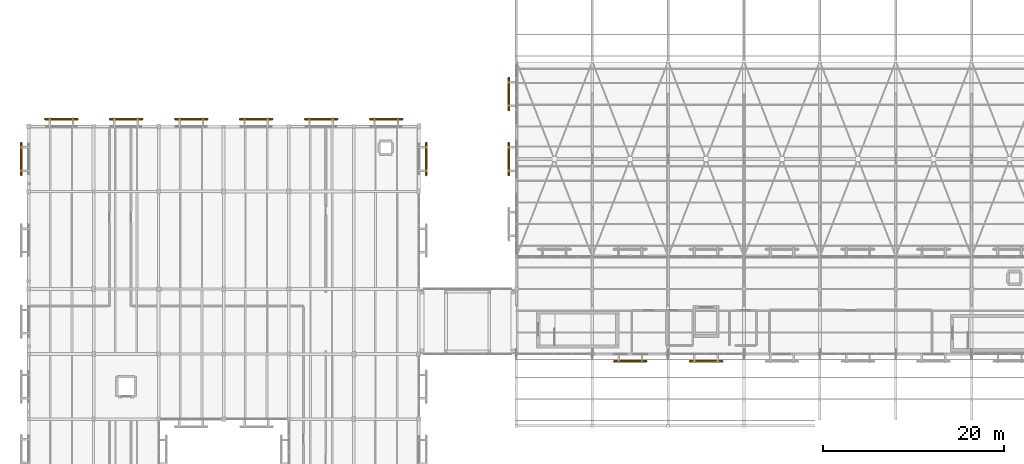
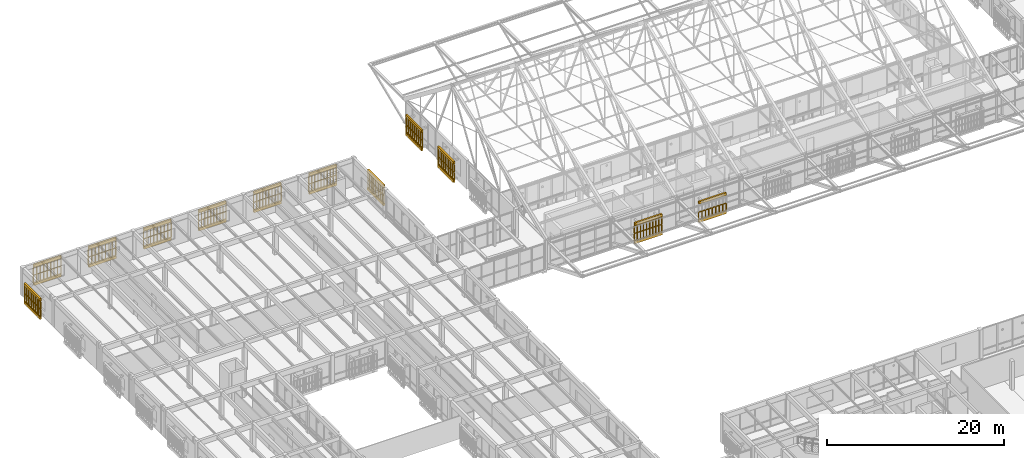
# One storey, part 206 of 217: 24 coverings, 23 railings.
"""IFC4 building model written with IfcOpenShell, lengths in metres."""

from ifc_helpers import new_model, si_unit, direction, frame, origin, origin_2d, place, context, subcontext, project, spatial, polyline, circle, outline, extrude, material, layer, layer_set, type_object, element, save


model = new_model("IFC4")

# Units and contexts
model_context = context("Model", 3, precision=1e-05, world=origin(), true_north=direction((0.0, 1.0)))
body_context = subcontext(model_context, "Body", "Model", "MODEL_VIEW")
ifc_project = project(units=[si_unit("LENGTHUNIT", "METRE"), si_unit("AREAUNIT", "SQUARE_METRE"), si_unit("VOLUMEUNIT", "CUBIC_METRE"), si_unit("PLANEANGLEUNIT", "RADIAN"), si_unit("MASSUNIT", "GRAM", prefix="KILO")], contexts=[model_context])

# Site, building, storey
site_placement = place(None, origin())
site = spatial("IfcSite", under=ifc_project, at=site_placement, CompositionType="ELEMENT")
building_placement = place(site_placement, origin())
building = spatial("IfcBuilding", under=site, at=building_placement, Name="Mazaris Harbour Polytechnic", CompositionType="ELEMENT")
storey_placement = place(building_placement, frame((0.0, 0.0, 9.60009765625)))
storey = spatial("IfcBuildingStorey", under=building, at=storey_placement, Name="L02", CompositionType="ELEMENT", Elevation=9.60009765625)

# Railings
ifc_material_1 = material(Name="Perforated Earth-Coloured Terracotta Block", Category="masonry")
railing_type = type_object("IfcRailingType", Name="Perforated Earth-Block Claustra Lattice 1040", PredefinedType="BALUSTRADE", material=ifc_material_1)
for number, where, name in (
    (1, (68.4150390625, 74.780029296875, 0.52001953125), "V1 L02 Lower Perforated Terracotta Block Screen 24"),
    (2, (68.4150390625, 74.780029296875, 1.60986328125), "V1 L02 Upper Perforated Terracotta Block Screen 24"),
):
    element("IfcRailing", number, at=place(storey_placement, frame(where)), inside=storey, type_object=railing_type, Name=name, PredefinedType="BALUSTRADE", context=body_context, shape_type="SweptSolid", body=[
        extrude(circle(Radius=0.06982421875, at=origin_2d()), frame((0.0, 0.0, 1.02001953125), z_axis=(-1.0, 0.0, 0.0), x_axis=(0.0, -1.0, 0.0)), (0.0, 0.0, 1.0), 3.60009765625),
        extrude(circle(Radius=0.074951171875, at=origin_2d()), origin(), (0.0, 0.0, 1.0), 0.9501953125),
        extrude(circle(Radius=0.074951171875, at=origin_2d()), frame((-0.39990234375, 0.0, 0.0)), (0.0, 0.0, 1.0), 0.9501953125),
        extrude(circle(Radius=0.074951171875, at=origin_2d()), frame((-0.800048828125, 0.0, 0.0)), (0.0, 0.0, 1.0), 0.9501953125),
        extrude(circle(Radius=0.074951171875, at=origin_2d()), frame((-1.199951171875, 0.0, 0.0)), (0.0, 0.0, 1.0), 0.9501953125),
        extrude(circle(Radius=0.074951171875, at=origin_2d()), frame((-1.60009765625, 0.0, 0.0)), (0.0, 0.0, 1.0), 0.9501953125),
        extrude(circle(Radius=0.074951171875, at=origin_2d()), frame((-2.0, 0.0, 0.0)), (0.0, 0.0, 1.0), 0.9501953125),
        extrude(circle(Radius=0.074951171875, at=origin_2d()), frame((-2.400146484375, 0.0, 0.0)), (0.0, 0.0, 1.0), 0.9501953125),
        extrude(circle(Radius=0.074951171875, at=origin_2d()), frame((-2.800048828125, 0.0, 0.0)), (0.0, 0.0, 1.0), 0.9501953125),
        extrude(circle(Radius=0.074951171875, at=origin_2d()), frame((-3.2001953125, 0.0, 0.0)), (0.0, 0.0, 1.0), 0.9501953125),
        extrude(circle(Radius=0.074951171875, at=origin_2d()), frame((-3.60009765625, 0.0, 0.0)), (0.0, 0.0, 1.0), 0.9501953125),
    ])
railing_placement = place(storey_placement, frame((76.804931640625, 74.780029296875, 0.52001953125)))
element("IfcRailing", 3, at=railing_placement, inside=storey, type_object=railing_type, Name="V1 L02 Lower Perforated Terracotta Block Screen 25", PredefinedType="BALUSTRADE", context=body_context, shape_type="SweptSolid", body=[
    extrude(circle(Radius=0.06982421875, at=origin_2d()), frame((0.0, 0.0, 1.02001953125), z_axis=(-1.0, 0.0, 0.0), x_axis=(0.0, -1.0, 0.0)), (0.0, 0.0, 1.0), 3.599853515625),
    extrude(circle(Radius=0.074951171875, at=origin_2d()), origin(), (0.0, 0.0, 1.0), 0.9501953125),
    extrude(circle(Radius=0.074951171875, at=origin_2d()), frame((-0.449951171875, 0.0, 0.0)), (0.0, 0.0, 1.0), 0.9501953125),
    extrude(circle(Radius=0.074951171875, at=origin_2d()), frame((-0.89990234375, 0.0, 0.0)), (0.0, 0.0, 1.0), 0.9501953125),
    extrude(circle(Radius=0.074951171875, at=origin_2d()), frame((-1.349853515625, 0.0, 0.0)), (0.0, 0.0, 1.0), 0.9501953125),
    extrude(circle(Radius=0.074951171875, at=origin_2d()), frame((-1.7998046875, 0.0, 0.0)), (0.0, 0.0, 1.0), 0.9501953125),
    extrude(circle(Radius=0.074951171875, at=origin_2d()), frame((-2.25, 0.0, 0.0)), (0.0, 0.0, 1.0), 0.9501953125),
    extrude(circle(Radius=0.074951171875, at=origin_2d()), frame((-2.699951171875, 0.0, 0.0)), (0.0, 0.0, 1.0), 0.9501953125),
    extrude(circle(Radius=0.074951171875, at=origin_2d()), frame((-3.14990234375, 0.0, 0.0)), (0.0, 0.0, 1.0), 0.9501953125),
    extrude(circle(Radius=0.074951171875, at=origin_2d()), frame((-3.599853515625, 0.0, 0.0)), (0.0, 0.0, 1.0), 0.9501953125),
])
for number, where, name in (
    (4, (53.179931640625, 95.389892578125, 0.52001953125), "V1 L02 Lower Perforated Terracotta Block Screen 38"),
    (5, (53.179931640625, 95.389892578125, 1.60986328125), "V1 L02 Upper Perforated Terracotta Block Screen 38"),
):
    element("IfcRailing", number, at=place(storey_placement, frame(where)), inside=storey, type_object=railing_type, Name=name, PredefinedType="BALUSTRADE", context=body_context, shape_type="SweptSolid", body=[
        extrude(circle(Radius=0.06982421875, at=origin_2d()), frame((0.0, 0.0, 1.02001953125), z_axis=(0.0, 1.0, 0.0), x_axis=(-1.0, 0.0, 0.0)), (0.0, 0.0, 1.0), 3.60009765625),
        extrude(circle(Radius=0.074951171875, at=origin_2d()), origin(), (0.0, 0.0, 1.0), 0.9501953125),
        extrude(circle(Radius=0.074951171875, at=origin_2d()), frame((0.0, 0.39990234375, 0.0)), (0.0, 0.0, 1.0), 0.9501953125),
        extrude(circle(Radius=0.074951171875, at=origin_2d()), frame((0.0, 0.800048828125, 0.0)), (0.0, 0.0, 1.0), 0.9501953125),
        extrude(circle(Radius=0.074951171875, at=origin_2d()), frame((0.0, 1.199951171875, 0.0)), (0.0, 0.0, 1.0), 0.9501953125),
        extrude(circle(Radius=0.074951171875, at=origin_2d()), frame((0.0, 1.60009765625, 0.0)), (0.0, 0.0, 1.0), 0.9501953125),
        extrude(circle(Radius=0.074951171875, at=origin_2d()), frame((0.0, 2.0, 0.0)), (0.0, 0.0, 1.0), 0.9501953125),
        extrude(circle(Radius=0.074951171875, at=origin_2d()), frame((0.0, 2.400146484375, 0.0)), (0.0, 0.0, 1.0), 0.9501953125),
        extrude(circle(Radius=0.074951171875, at=origin_2d()), frame((0.0, 2.800048828125, 0.0)), (0.0, 0.0, 1.0), 0.9501953125),
        extrude(circle(Radius=0.074951171875, at=origin_2d()), frame((0.0, 3.2001953125, 0.0)), (0.0, 0.0, 1.0), 0.9501953125),
        extrude(circle(Radius=0.074951171875, at=origin_2d()), frame((0.0, 3.60009765625, 0.0)), (0.0, 0.0, 1.0), 0.9501953125),
    ])
for number, where, name in (
    (6, (53.179931640625, 102.590087890625, 0.52001953125), "V1 L02 Lower Perforated Terracotta Block Screen 39"),
    (7, (53.179931640625, 102.590087890625, 1.60986328125), "V1 L02 Upper Perforated Terracotta Block Screen 39"),
):
    element("IfcRailing", number, at=place(storey_placement, frame(where)), inside=storey, type_object=railing_type, Name=name, PredefinedType="BALUSTRADE", context=body_context, shape_type="SweptSolid", body=[
        extrude(circle(Radius=0.06982421875, at=origin_2d()), frame((0.0, 0.0, 1.02001953125), z_axis=(0.0, 1.0, 0.0), x_axis=(-1.0, 0.0, 0.0)), (0.0, 0.0, 1.0), 3.599853515625),
        extrude(circle(Radius=0.074951171875, at=origin_2d()), origin(), (0.0, 0.0, 1.0), 0.9501953125),
        extrude(circle(Radius=0.074951171875, at=origin_2d()), frame((0.0, 0.449951171875, 0.0)), (0.0, 0.0, 1.0), 0.9501953125),
        extrude(circle(Radius=0.074951171875, at=origin_2d()), frame((0.0, 0.89990234375, 0.0)), (0.0, 0.0, 1.0), 0.9501953125),
        extrude(circle(Radius=0.074951171875, at=origin_2d()), frame((0.0, 1.349853515625, 0.0)), (0.0, 0.0, 1.0), 0.9501953125),
        extrude(circle(Radius=0.074951171875, at=origin_2d()), frame((0.0, 1.7998046875, 0.0)), (0.0, 0.0, 1.0), 0.9501953125),
        extrude(circle(Radius=0.074951171875, at=origin_2d()), frame((0.0, 2.25, 0.0)), (0.0, 0.0, 1.0), 0.9501953125),
        extrude(circle(Radius=0.074951171875, at=origin_2d()), frame((0.0, 2.699951171875, 0.0)), (0.0, 0.0, 1.0), 0.9501953125),
        extrude(circle(Radius=0.074951171875, at=origin_2d()), frame((0.0, 3.14990234375, 0.0)), (0.0, 0.0, 1.0), 0.9501953125),
        extrude(circle(Radius=0.074951171875, at=origin_2d()), frame((0.0, 3.599853515625, 0.0)), (0.0, 0.0, 1.0), 0.9501953125),
    ])
for number, where, name in (
    (8, (1.830078125, 101.6201171875, 0.52001953125), "V4 L02 Lower Perforated Terracotta Block Screen 207"),
    (9, (1.830078125, 101.6201171875, 1.60986328125), "V4 L02 Upper Perforated Terracotta Block Screen 207"),
    (10, (8.9951171875, 101.6201171875, 0.52001953125), "V4 L02 Lower Perforated Terracotta Block Screen 208"),
    (11, (8.9951171875, 101.6201171875, 1.60986328125), "V4 L02 Upper Perforated Terracotta Block Screen 208"),
):
    element("IfcRailing", number, at=place(storey_placement, frame(where)), inside=storey, type_object=railing_type, Name=name, PredefinedType="BALUSTRADE", context=body_context, shape_type="SweptSolid", body=[
        extrude(circle(Radius=0.06982421875, at=origin_2d()), frame((0.0, 0.0, 1.02001953125), z_axis=(1.0, 0.0, 0.0), x_axis=(0.0, 1.0, 0.0)), (0.0, 0.0, 1.0), 3.599853515625),
        extrude(circle(Radius=0.074951171875, at=origin_2d()), origin(), (0.0, 0.0, 1.0), 0.9501953125),
        extrude(circle(Radius=0.074951171875, at=origin_2d()), frame((0.449951171875, 0.0, 0.0)), (0.0, 0.0, 1.0), 0.9501953125),
        extrude(circle(Radius=0.074951171875, at=origin_2d()), frame((0.89990234375, 0.0, 0.0)), (0.0, 0.0, 1.0), 0.9501953125),
        extrude(circle(Radius=0.074951171875, at=origin_2d()), frame((1.349853515625, 0.0, 0.0)), (0.0, 0.0, 1.0), 0.9501953125),
        extrude(circle(Radius=0.074951171875, at=origin_2d()), frame((1.7998046875, 0.0, 0.0)), (0.0, 0.0, 1.0), 0.9501953125),
        extrude(circle(Radius=0.074951171875, at=origin_2d()), frame((2.25, 0.0, 0.0)), (0.0, 0.0, 1.0), 0.9501953125),
        extrude(circle(Radius=0.074951171875, at=origin_2d()), frame((2.699951171875, 0.0, 0.0)), (0.0, 0.0, 1.0), 0.9501953125),
        extrude(circle(Radius=0.074951171875, at=origin_2d()), frame((3.14990234375, 0.0, 0.0)), (0.0, 0.0, 1.0), 0.9501953125),
        extrude(circle(Radius=0.074951171875, at=origin_2d()), frame((3.599853515625, 0.0, 0.0)), (0.0, 0.0, 1.0), 0.9501953125),
    ])
for number, where, name in (
    (12, (16.215087890625, 101.6201171875, 0.52001953125), "V4 L02 Lower Perforated Terracotta Block Screen 209"),
    (13, (16.215087890625, 101.6201171875, 1.60498046875), "V4 L02 Upper Perforated Terracotta Block Screen 209"),
):
    element("IfcRailing", number, at=place(storey_placement, frame(where)), inside=storey, type_object=railing_type, Name=name, PredefinedType="BALUSTRADE", context=body_context, shape_type="SweptSolid", body=[
        extrude(circle(Radius=0.06982421875, at=origin_2d()), frame((0.0, 0.0, 1.01513671875), z_axis=(1.0, 0.0, 0.0), x_axis=(0.0, 1.0, 0.0)), (0.0, 0.0, 1.0), 3.599853515625),
        extrude(circle(Radius=0.074951171875, at=origin_2d()), origin(), (0.0, 0.0, 1.0), 0.945068359375),
        extrude(circle(Radius=0.074951171875, at=origin_2d()), frame((0.449951171875, 0.0, 0.0)), (0.0, 0.0, 1.0), 0.945068359375),
        extrude(circle(Radius=0.074951171875, at=origin_2d()), frame((0.89990234375, 0.0, 0.0)), (0.0, 0.0, 1.0), 0.945068359375),
        extrude(circle(Radius=0.074951171875, at=origin_2d()), frame((1.349853515625, 0.0, 0.0)), (0.0, 0.0, 1.0), 0.945068359375),
        extrude(circle(Radius=0.074951171875, at=origin_2d()), frame((1.7998046875, 0.0, 0.0)), (0.0, 0.0, 1.0), 0.945068359375),
        extrude(circle(Radius=0.074951171875, at=origin_2d()), frame((2.25, 0.0, 0.0)), (0.0, 0.0, 1.0), 0.945068359375),
        extrude(circle(Radius=0.074951171875, at=origin_2d()), frame((2.699951171875, 0.0, 0.0)), (0.0, 0.0, 1.0), 0.945068359375),
        extrude(circle(Radius=0.074951171875, at=origin_2d()), frame((3.14990234375, 0.0, 0.0)), (0.0, 0.0, 1.0), 0.945068359375),
        extrude(circle(Radius=0.074951171875, at=origin_2d()), frame((3.599853515625, 0.0, 0.0)), (0.0, 0.0, 1.0), 0.945068359375),
    ])
for number, where, name in (
    (14, (23.39501953125, 101.6201171875, 0.52001953125), "V4 L02 Lower Perforated Terracotta Block Screen 210"),
    (15, (23.39501953125, 101.6201171875, 1.60498046875), "V4 L02 Upper Perforated Terracotta Block Screen 210"),
):
    element("IfcRailing", number, at=place(storey_placement, frame(where)), inside=storey, type_object=railing_type, Name=name, PredefinedType="BALUSTRADE", context=body_context, shape_type="SweptSolid", body=[
        extrude(circle(Radius=0.06982421875, at=origin_2d()), frame((0.0, 0.0, 1.01513671875), z_axis=(1.0, 0.0, 0.0), x_axis=(0.0, 1.0, 0.0)), (0.0, 0.0, 1.0), 3.60009765625),
        extrude(circle(Radius=0.074951171875, at=origin_2d()), origin(), (0.0, 0.0, 1.0), 0.945068359375),
        extrude(circle(Radius=0.074951171875, at=origin_2d()), frame((0.39990234375, 0.0, 0.0)), (0.0, 0.0, 1.0), 0.945068359375),
        extrude(circle(Radius=0.074951171875, at=origin_2d()), frame((0.800048828125, 0.0, 0.0)), (0.0, 0.0, 1.0), 0.945068359375),
        extrude(circle(Radius=0.074951171875, at=origin_2d()), frame((1.199951171875, 0.0, 0.0)), (0.0, 0.0, 1.0), 0.945068359375),
        extrude(circle(Radius=0.074951171875, at=origin_2d()), frame((1.60009765625, 0.0, 0.0)), (0.0, 0.0, 1.0), 0.945068359375),
        extrude(circle(Radius=0.074951171875, at=origin_2d()), frame((2.0, 0.0, 0.0)), (0.0, 0.0, 1.0), 0.945068359375),
        extrude(circle(Radius=0.074951171875, at=origin_2d()), frame((2.400146484375, 0.0, 0.0)), (0.0, 0.0, 1.0), 0.945068359375),
        extrude(circle(Radius=0.074951171875, at=origin_2d()), frame((2.800048828125, 0.0, 0.0)), (0.0, 0.0, 1.0), 0.945068359375),
        extrude(circle(Radius=0.074951171875, at=origin_2d()), frame((3.2001953125, 0.0, 0.0)), (0.0, 0.0, 1.0), 0.945068359375),
        extrude(circle(Radius=0.074951171875, at=origin_2d()), frame((3.60009765625, 0.0, 0.0)), (0.0, 0.0, 1.0), 0.945068359375),
    ])
for number, where, name in (
    (16, (30.5849609375, 101.6201171875, 0.52001953125), "V4 L02 Lower Perforated Terracotta Block Screen 211"),
    (17, (30.5849609375, 101.6201171875, 1.60986328125), "V4 L02 Upper Perforated Terracotta Block Screen 211"),
    (18, (37.794921875, 101.6201171875, 0.52001953125), "V4 L02 Lower Perforated Terracotta Block Screen 212"),
    (19, (37.794921875, 101.6201171875, 1.60986328125), "V4 L02 Upper Perforated Terracotta Block Screen 212"),
):
    element("IfcRailing", number, at=place(storey_placement, frame(where)), inside=storey, type_object=railing_type, Name=name, PredefinedType="BALUSTRADE", context=body_context, shape_type="SweptSolid", body=[
        extrude(circle(Radius=0.06982421875, at=origin_2d()), frame((0.0, 0.0, 1.02001953125), z_axis=(1.0, 0.0, 0.0), x_axis=(0.0, 1.0, 0.0)), (0.0, 0.0, 1.0), 3.60009765625),
        extrude(circle(Radius=0.074951171875, at=origin_2d()), origin(), (0.0, 0.0, 1.0), 0.9501953125),
        extrude(circle(Radius=0.074951171875, at=origin_2d()), frame((0.39990234375, 0.0, 0.0)), (0.0, 0.0, 1.0), 0.9501953125),
        extrude(circle(Radius=0.074951171875, at=origin_2d()), frame((0.800048828125, 0.0, 0.0)), (0.0, 0.0, 1.0), 0.9501953125),
        extrude(circle(Radius=0.074951171875, at=origin_2d()), frame((1.199951171875, 0.0, 0.0)), (0.0, 0.0, 1.0), 0.9501953125),
        extrude(circle(Radius=0.074951171875, at=origin_2d()), frame((1.60009765625, 0.0, 0.0)), (0.0, 0.0, 1.0), 0.9501953125),
        extrude(circle(Radius=0.074951171875, at=origin_2d()), frame((2.0, 0.0, 0.0)), (0.0, 0.0, 1.0), 0.9501953125),
        extrude(circle(Radius=0.074951171875, at=origin_2d()), frame((2.400146484375, 0.0, 0.0)), (0.0, 0.0, 1.0), 0.9501953125),
        extrude(circle(Radius=0.074951171875, at=origin_2d()), frame((2.800048828125, 0.0, 0.0)), (0.0, 0.0, 1.0), 0.9501953125),
        extrude(circle(Radius=0.074951171875, at=origin_2d()), frame((3.2001953125, 0.0, 0.0)), (0.0, 0.0, 1.0), 0.9501953125),
        extrude(circle(Radius=0.074951171875, at=origin_2d()), frame((3.60009765625, 0.0, 0.0)), (0.0, 0.0, 1.0), 0.9501953125),
    ])
for number, where, name in (
    (20, (-0.820068359375, 95.389892578125, 0.52001953125), "V4 L02 Lower Perforated Terracotta Block Screen 224"),
    (21, (-0.820068359375, 95.389892578125, 1.60986328125), "V4 L02 Upper Perforated Terracotta Block Screen 224"),
):
    element("IfcRailing", number, at=place(storey_placement, frame(where)), inside=storey, type_object=railing_type, Name=name, PredefinedType="BALUSTRADE", context=body_context, shape_type="SweptSolid", body=[
        extrude(circle(Radius=0.06982421875, at=origin_2d()), frame((0.0, 0.0, 1.02001953125), z_axis=(0.0, 1.0, 0.0), x_axis=(-1.0, 0.0, 0.0)), (0.0, 0.0, 1.0), 3.60009765625),
        extrude(circle(Radius=0.074951171875, at=origin_2d()), origin(), (0.0, 0.0, 1.0), 0.9501953125),
        extrude(circle(Radius=0.074951171875, at=origin_2d()), frame((0.0, 0.39990234375, 0.0)), (0.0, 0.0, 1.0), 0.9501953125),
        extrude(circle(Radius=0.074951171875, at=origin_2d()), frame((0.0, 0.800048828125, 0.0)), (0.0, 0.0, 1.0), 0.9501953125),
        extrude(circle(Radius=0.074951171875, at=origin_2d()), frame((0.0, 1.199951171875, 0.0)), (0.0, 0.0, 1.0), 0.9501953125),
        extrude(circle(Radius=0.074951171875, at=origin_2d()), frame((0.0, 1.60009765625, 0.0)), (0.0, 0.0, 1.0), 0.9501953125),
        extrude(circle(Radius=0.074951171875, at=origin_2d()), frame((0.0, 2.0, 0.0)), (0.0, 0.0, 1.0), 0.9501953125),
        extrude(circle(Radius=0.074951171875, at=origin_2d()), frame((0.0, 2.400146484375, 0.0)), (0.0, 0.0, 1.0), 0.9501953125),
        extrude(circle(Radius=0.074951171875, at=origin_2d()), frame((0.0, 2.800048828125, 0.0)), (0.0, 0.0, 1.0), 0.9501953125),
        extrude(circle(Radius=0.074951171875, at=origin_2d()), frame((0.0, 3.2001953125, 0.0)), (0.0, 0.0, 1.0), 0.9501953125),
        extrude(circle(Radius=0.074951171875, at=origin_2d()), frame((0.0, 3.60009765625, 0.0)), (0.0, 0.0, 1.0), 0.9501953125),
    ])
for number, where, name in (
    (22, (44.02001953125, 98.985107421875, 0.52001953125), "V4 L02 Lower Perforated Terracotta Block Screen 234"),
    (23, (44.02001953125, 98.985107421875, 1.60498046875), "V4 L02 Upper Perforated Terracotta Block Screen 234"),
):
    element("IfcRailing", number, at=place(storey_placement, frame(where)), inside=storey, type_object=railing_type, Name=name, PredefinedType="BALUSTRADE", context=body_context, shape_type="SweptSolid", body=[
        extrude(circle(Radius=0.06982421875, at=origin_2d()), frame((0.0, 0.0, 1.01513671875), z_axis=(0.0, -1.0, 0.0), x_axis=(1.0, 0.0, 0.0)), (0.0, 0.0, 1.0), 3.60009765625),
        extrude(circle(Radius=0.074951171875, at=origin_2d()), origin(), (0.0, 0.0, 1.0), 0.945068359375),
        extrude(circle(Radius=0.074951171875, at=origin_2d()), frame((0.0, -0.39990234375, 0.0)), (0.0, 0.0, 1.0), 0.945068359375),
        extrude(circle(Radius=0.074951171875, at=origin_2d()), frame((0.0, -0.800048828125, 0.0)), (0.0, 0.0, 1.0), 0.945068359375),
        extrude(circle(Radius=0.074951171875, at=origin_2d()), frame((0.0, -1.199951171875, 0.0)), (0.0, 0.0, 1.0), 0.945068359375),
        extrude(circle(Radius=0.074951171875, at=origin_2d()), frame((0.0, -1.60009765625, 0.0)), (0.0, 0.0, 1.0), 0.945068359375),
        extrude(circle(Radius=0.074951171875, at=origin_2d()), frame((0.0, -2.0, 0.0)), (0.0, 0.0, 1.0), 0.945068359375),
        extrude(circle(Radius=0.074951171875, at=origin_2d()), frame((0.0, -2.400146484375, 0.0)), (0.0, 0.0, 1.0), 0.945068359375),
        extrude(circle(Radius=0.074951171875, at=origin_2d()), frame((0.0, -2.800048828125, 0.0)), (0.0, 0.0, 1.0), 0.945068359375),
        extrude(circle(Radius=0.074951171875, at=origin_2d()), frame((0.0, -3.2001953125, 0.0)), (0.0, 0.0, 1.0), 0.945068359375),
        extrude(circle(Radius=0.074951171875, at=origin_2d()), frame((0.0, -3.60009765625, 0.0)), (0.0, 0.0, 1.0), 0.945068359375),
    ])

# Coverings
ifc_material_2 = material(Name="Perforated Earth-Coloured Terracotta Block", Category="masonry")
ifc_layer = layer(ifc_material_2, 0.219970703125, Name="Perforated Earth-Coloured Terracotta Block")
ifc_layer_set = layer_set([ifc_layer], Name="Perforated Earth-Coloured Terracotta Block")
covering_type = type_object("IfcCoveringType", Name="Terracotta Screen Course Cladding 220", PredefinedType="CLADDING", material=ifc_layer_set)
covering_1_placement = place(storey_placement, frame((0.0, 0.0, 0.159912109375)))
element("IfcCovering", 24, at=covering_1_placement, inside=storey, type_object=covering_type, Name="V1 L02 Perforated Screen Sill Course 24", PredefinedType="CLADDING", context=body_context, shape_type="SweptSolid", body=[
    extrude(outline(polyline([(68.4150390625, 74.889892578125), (64.81494140625, 74.889892578125), (64.81494140625, 74.669921875), (68.4150390625, 74.669921875), (68.4150390625, 74.889892578125)])), origin(), (0.0, 0.0, 1.0), 0.360107421875),
])
covering_2_placement = place(storey_placement, frame((0.0, 0.0, 2.699951171875)))
element("IfcCovering", 25, at=covering_2_placement, inside=storey, type_object=covering_type, Name="V1 L02 Perforated Screen Lintel Course 24", PredefinedType="CLADDING", context=body_context, shape_type="SweptSolid", body=[
    extrude(outline(polyline([(68.4150390625, 74.889892578125), (64.81494140625, 74.889892578125), (64.81494140625, 74.669921875), (68.4150390625, 74.669921875), (68.4150390625, 74.889892578125)])), origin(), (0.0, 0.0, 1.0), 0.33984375),
])
covering_3_placement = place(storey_placement, frame((0.0, 0.0, 0.159912109375)))
element("IfcCovering", 26, at=covering_3_placement, inside=storey, type_object=covering_type, Name="V1 L02 Perforated Screen Sill Course 25", PredefinedType="CLADDING", context=body_context, shape_type="SweptSolid", body=[
    extrude(outline(polyline([(76.804931640625, 74.889892578125), (73.205078125, 74.889892578125), (73.205078125, 74.669921875), (76.804931640625, 74.669921875), (76.804931640625, 74.889892578125)])), origin(), (0.0, 0.0, 1.0), 0.360107421875),
])
covering_4_placement = place(storey_placement, frame((0.0, 0.0, 2.699951171875)))
element("IfcCovering", 27, at=covering_4_placement, inside=storey, type_object=covering_type, Name="V1 L02 Perforated Screen Lintel Course 25", PredefinedType="CLADDING", context=body_context, shape_type="SweptSolid", body=[
    extrude(outline(polyline([(76.804931640625, 74.889892578125), (73.205078125, 74.889892578125), (73.205078125, 74.669921875), (76.804931640625, 74.669921875), (76.804931640625, 74.889892578125)])), origin(), (0.0, 0.0, 1.0), 0.33984375),
])
covering_5_placement = place(storey_placement, frame((0.0, 0.0, 0.159912109375)))
element("IfcCovering", 28, at=covering_5_placement, inside=storey, type_object=covering_type, Name="V1 L02 Perforated Screen Sill Course 38", PredefinedType="CLADDING", context=body_context, shape_type="SweptSolid", body=[
    extrude(outline(polyline([(53.2900390625, 95.389892578125), (53.2900390625, 98.989990234375), (53.070068359375, 98.989990234375), (53.070068359375, 95.389892578125), (53.2900390625, 95.389892578125)])), origin(), (0.0, 0.0, 1.0), 0.360107421875),
])
covering_6_placement = place(storey_placement, frame((0.0, 0.0, 2.699951171875)))
element("IfcCovering", 29, at=covering_6_placement, inside=storey, type_object=covering_type, Name="V1 L02 Perforated Screen Lintel Course 38", PredefinedType="CLADDING", context=body_context, shape_type="SweptSolid", body=[
    extrude(outline(polyline([(53.2900390625, 95.389892578125), (53.2900390625, 98.989990234375), (53.070068359375, 98.989990234375), (53.070068359375, 95.389892578125), (53.2900390625, 95.389892578125)])), origin(), (0.0, 0.0, 1.0), 0.33984375),
])
covering_7_placement = place(storey_placement, frame((0.0, 0.0, 0.159912109375)))
element("IfcCovering", 30, at=covering_7_placement, inside=storey, type_object=covering_type, Name="V1 L02 Perforated Screen Sill Course 39", PredefinedType="CLADDING", context=body_context, shape_type="SweptSolid", body=[
    extrude(outline(polyline([(53.2900390625, 102.590087890625), (53.2900390625, 106.18994140625), (53.070068359375, 106.18994140625), (53.070068359375, 102.590087890625), (53.2900390625, 102.590087890625)])), origin(), (0.0, 0.0, 1.0), 0.360107421875),
])
covering_8_placement = place(storey_placement, frame((0.0, 0.0, 2.699951171875)))
element("IfcCovering", 31, at=covering_8_placement, inside=storey, type_object=covering_type, Name="V1 L02 Perforated Screen Lintel Course 39", PredefinedType="CLADDING", context=body_context, shape_type="SweptSolid", body=[
    extrude(outline(polyline([(53.2900390625, 102.590087890625), (53.2900390625, 106.18994140625), (53.070068359375, 106.18994140625), (53.070068359375, 102.590087890625), (53.2900390625, 102.590087890625)])), origin(), (0.0, 0.0, 1.0), 0.33984375),
])
covering_9_placement = place(storey_placement, frame((0.0, 0.0, 0.159912109375)))
element("IfcCovering", 32, at=covering_9_placement, inside=storey, type_object=covering_type, Name="V4 L02 Perforated Screen Sill Course 207", PredefinedType="CLADDING", context=body_context, shape_type="SweptSolid", body=[
    extrude(outline(polyline([(1.830078125, 101.510009765625), (5.429931640625, 101.510009765625), (5.429931640625, 101.72998046875), (1.830078125, 101.72998046875), (1.830078125, 101.510009765625)])), origin(), (0.0, 0.0, 1.0), 0.360107421875),
])
covering_10_placement = place(storey_placement, frame((0.0, 0.0, 2.699951171875)))
element("IfcCovering", 33, at=covering_10_placement, inside=storey, type_object=covering_type, Name="V4 L02 Perforated Screen Lintel Course 207", PredefinedType="CLADDING", context=body_context, shape_type="SweptSolid", body=[
    extrude(outline(polyline([(1.830078125, 101.510009765625), (5.429931640625, 101.510009765625), (5.429931640625, 101.72998046875), (1.830078125, 101.72998046875), (1.830078125, 101.510009765625)])), origin(), (0.0, 0.0, 1.0), 0.33984375),
])
covering_11_placement = place(storey_placement, frame((0.0, 0.0, 0.159912109375)))
element("IfcCovering", 34, at=covering_11_placement, inside=storey, type_object=covering_type, Name="V4 L02 Perforated Screen Sill Course 208", PredefinedType="CLADDING", context=body_context, shape_type="SweptSolid", body=[
    extrude(outline(polyline([(8.9951171875, 101.510009765625), (12.594970703125, 101.510009765625), (12.594970703125, 101.72998046875), (8.9951171875, 101.72998046875), (8.9951171875, 101.510009765625)])), origin(), (0.0, 0.0, 1.0), 0.360107421875),
])
covering_12_placement = place(storey_placement, frame((0.0, 0.0, 2.699951171875)))
element("IfcCovering", 35, at=covering_12_placement, inside=storey, type_object=covering_type, Name="V4 L02 Perforated Screen Lintel Course 208", PredefinedType="CLADDING", context=body_context, shape_type="SweptSolid", body=[
    extrude(outline(polyline([(8.9951171875, 101.510009765625), (12.594970703125, 101.510009765625), (12.594970703125, 101.72998046875), (8.9951171875, 101.72998046875), (8.9951171875, 101.510009765625)])), origin(), (0.0, 0.0, 1.0), 0.33984375),
])
covering_13_placement = place(storey_placement, frame((0.0, 0.0, 0.159912109375)))
element("IfcCovering", 36, at=covering_13_placement, inside=storey, type_object=covering_type, Name="V4 L02 Perforated Screen Sill Course 209", PredefinedType="CLADDING", context=body_context, shape_type="SweptSolid", body=[
    extrude(outline(polyline([(16.215087890625, 101.510009765625), (19.81494140625, 101.510009765625), (19.81494140625, 101.72998046875), (16.215087890625, 101.72998046875), (16.215087890625, 101.510009765625)])), origin(), (0.0, 0.0, 1.0), 0.360107421875),
])
covering_14_placement = place(storey_placement, frame((0.0, 0.0, 2.68994140625)))
element("IfcCovering", 37, at=covering_14_placement, inside=storey, type_object=covering_type, Name="V4 L02 Perforated Screen Lintel Course 209", PredefinedType="CLADDING", context=body_context, shape_type="SweptSolid", body=[
    extrude(outline(polyline([(16.215087890625, 101.510009765625), (19.81494140625, 101.510009765625), (19.81494140625, 101.72998046875), (16.215087890625, 101.72998046875), (16.215087890625, 101.510009765625)])), origin(), (0.0, 0.0, 1.0), 0.33984375),
])
covering_15_placement = place(storey_placement, frame((0.0, 0.0, 0.159912109375)))
element("IfcCovering", 38, at=covering_15_placement, inside=storey, type_object=covering_type, Name="V4 L02 Perforated Screen Sill Course 210", PredefinedType="CLADDING", context=body_context, shape_type="SweptSolid", body=[
    extrude(outline(polyline([(23.39501953125, 101.510009765625), (26.9951171875, 101.510009765625), (26.9951171875, 101.72998046875), (23.39501953125, 101.72998046875), (23.39501953125, 101.510009765625)])), origin(), (0.0, 0.0, 1.0), 0.360107421875),
])
covering_16_placement = place(storey_placement, frame((0.0, 0.0, 2.68994140625)))
element("IfcCovering", 39, at=covering_16_placement, inside=storey, type_object=covering_type, Name="V4 L02 Perforated Screen Lintel Course 210", PredefinedType="CLADDING", context=body_context, shape_type="SweptSolid", body=[
    extrude(outline(polyline([(23.39501953125, 101.510009765625), (26.9951171875, 101.510009765625), (26.9951171875, 101.72998046875), (23.39501953125, 101.72998046875), (23.39501953125, 101.510009765625)])), origin(), (0.0, 0.0, 1.0), 0.33984375),
])
covering_17_placement = place(storey_placement, frame((0.0, 0.0, 0.159912109375)))
element("IfcCovering", 40, at=covering_17_placement, inside=storey, type_object=covering_type, Name="V4 L02 Perforated Screen Sill Course 211", PredefinedType="CLADDING", context=body_context, shape_type="SweptSolid", body=[
    extrude(outline(polyline([(30.5849609375, 101.510009765625), (34.18505859375, 101.510009765625), (34.18505859375, 101.72998046875), (30.5849609375, 101.72998046875), (30.5849609375, 101.510009765625)])), origin(), (0.0, 0.0, 1.0), 0.360107421875),
])
covering_18_placement = place(storey_placement, frame((0.0, 0.0, 2.699951171875)))
element("IfcCovering", 41, at=covering_18_placement, inside=storey, type_object=covering_type, Name="V4 L02 Perforated Screen Lintel Course 211", PredefinedType="CLADDING", context=body_context, shape_type="SweptSolid", body=[
    extrude(outline(polyline([(30.5849609375, 101.510009765625), (34.18505859375, 101.510009765625), (34.18505859375, 101.72998046875), (30.5849609375, 101.72998046875), (30.5849609375, 101.510009765625)])), origin(), (0.0, 0.0, 1.0), 0.33984375),
])
covering_19_placement = place(storey_placement, frame((0.0, 0.0, 0.159912109375)))
element("IfcCovering", 42, at=covering_19_placement, inside=storey, type_object=covering_type, Name="V4 L02 Perforated Screen Sill Course 212", PredefinedType="CLADDING", context=body_context, shape_type="SweptSolid", body=[
    extrude(outline(polyline([(37.794921875, 101.510009765625), (41.39501953125, 101.510009765625), (41.39501953125, 101.72998046875), (37.794921875, 101.72998046875), (37.794921875, 101.510009765625)])), origin(), (0.0, 0.0, 1.0), 0.360107421875),
])
covering_20_placement = place(storey_placement, frame((0.0, 0.0, 2.699951171875)))
element("IfcCovering", 43, at=covering_20_placement, inside=storey, type_object=covering_type, Name="V4 L02 Perforated Screen Lintel Course 212", PredefinedType="CLADDING", context=body_context, shape_type="SweptSolid", body=[
    extrude(outline(polyline([(37.794921875, 101.510009765625), (41.39501953125, 101.510009765625), (41.39501953125, 101.72998046875), (37.794921875, 101.72998046875), (37.794921875, 101.510009765625)])), origin(), (0.0, 0.0, 1.0), 0.33984375),
])
covering_21_placement = place(storey_placement, frame((0.0, 0.0, 0.159912109375)))
element("IfcCovering", 44, at=covering_21_placement, inside=storey, type_object=covering_type, Name="V4 L02 Perforated Screen Sill Course 224", PredefinedType="CLADDING", context=body_context, shape_type="SweptSolid", body=[
    extrude(outline(polyline([(-0.7099609375, 95.389892578125), (-0.7099609375, 98.989990234375), (-0.929931640625, 98.989990234375), (-0.929931640625, 95.389892578125), (-0.7099609375, 95.389892578125)])), origin(), (0.0, 0.0, 1.0), 0.360107421875),
])
covering_22_placement = place(storey_placement, frame((0.0, 0.0, 2.699951171875)))
element("IfcCovering", 45, at=covering_22_placement, inside=storey, type_object=covering_type, Name="V4 L02 Perforated Screen Lintel Course 224", PredefinedType="CLADDING", context=body_context, shape_type="SweptSolid", body=[
    extrude(outline(polyline([(-0.7099609375, 95.389892578125), (-0.7099609375, 98.989990234375), (-0.929931640625, 98.989990234375), (-0.929931640625, 95.389892578125), (-0.7099609375, 95.389892578125)])), origin(), (0.0, 0.0, 1.0), 0.33984375),
])
covering_23_placement = place(storey_placement, frame((0.0, 0.0, 0.159912109375)))
element("IfcCovering", 46, at=covering_23_placement, inside=storey, type_object=covering_type, Name="V4 L02 Perforated Screen Sill Course 234", PredefinedType="CLADDING", context=body_context, shape_type="SweptSolid", body=[
    extrude(outline(polyline([(43.909912109375, 98.985107421875), (43.909912109375, 95.385009765625), (44.1298828125, 95.385009765625), (44.1298828125, 98.985107421875), (43.909912109375, 98.985107421875)])), origin(), (0.0, 0.0, 1.0), 0.360107421875),
])
covering_24_placement = place(storey_placement, frame((0.0, 0.0, 2.68994140625)))
element("IfcCovering", 47, at=covering_24_placement, inside=storey, type_object=covering_type, Name="V4 L02 Perforated Screen Lintel Course 234", PredefinedType="CLADDING", context=body_context, shape_type="SweptSolid", body=[
    extrude(outline(polyline([(43.909912109375, 98.985107421875), (43.909912109375, 95.385009765625), (44.1298828125, 95.385009765625), (44.1298828125, 98.985107421875), (43.909912109375, 98.985107421875)])), origin(), (0.0, 0.0, 1.0), 0.33984375),
])

save(model, "model.ifc")
